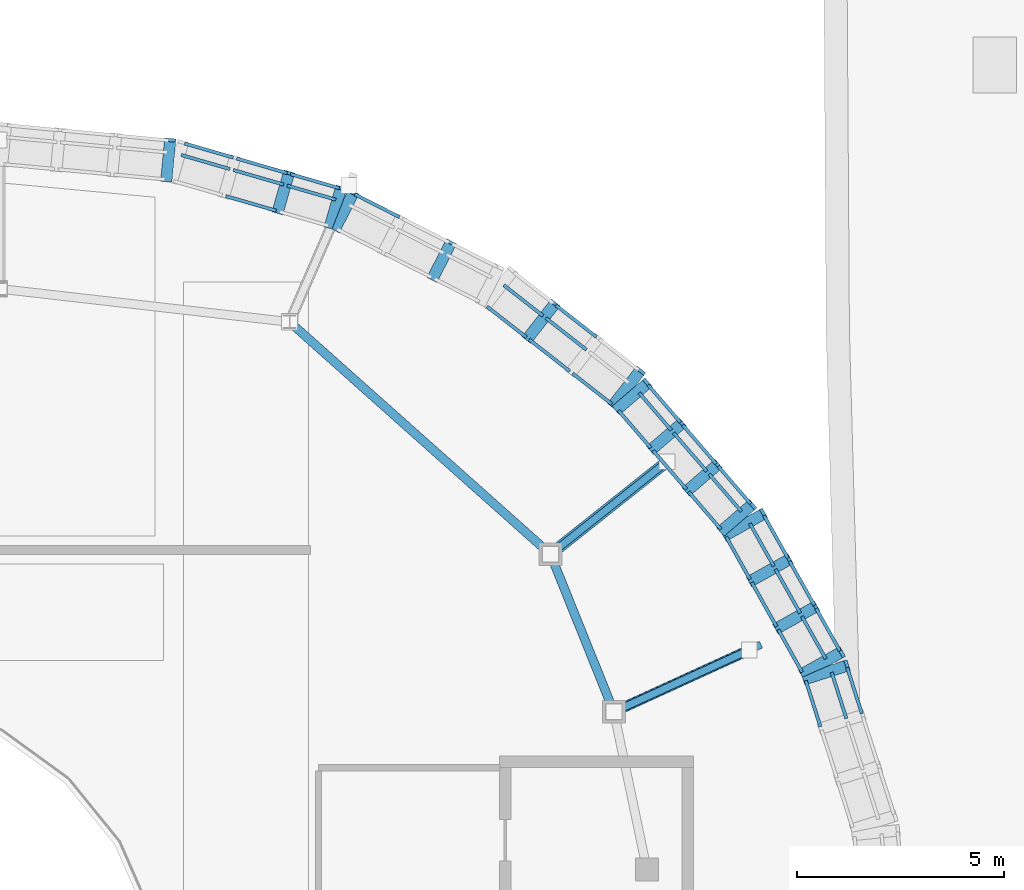
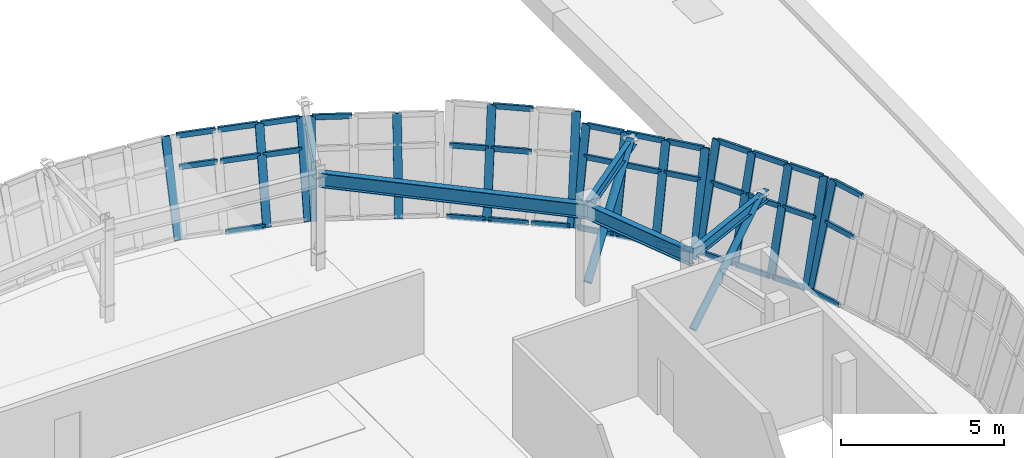
# One storey, part 26 of 111: 53 members, 4 beams, 7 elements without a shape of their own.
"""IFC4 building model written with IfcOpenShell, lengths in metres."""

from ifc_helpers import new_model, si_unit, direction, frame, origin, origin_2d, place, context, subcontext, project, spatial, rectangle, hollow_circle, i_section, extrude, material, material_profile, profile_set, type_object, element, aggregate, save


model = new_model("IFC4")

# Units and contexts
model_context = context("Model", 3, precision=1e-05, world=origin(), true_north=direction((0.0, 1.0)))
body_context = subcontext(model_context, "Body", "Model", "MODEL_VIEW")
ifc_project = project(units=[si_unit("LENGTHUNIT", "METRE"), si_unit("AREAUNIT", "SQUARE_METRE"), si_unit("VOLUMEUNIT", "CUBIC_METRE"), si_unit("PLANEANGLEUNIT", "RADIAN"), si_unit("MASSUNIT", "GRAM", prefix="KILO")], contexts=[model_context])

# Site, building, storey
site_placement = place(None, origin())
site = spatial("IfcSite", under=ifc_project, at=site_placement, CompositionType="ELEMENT")
building_placement = place(site_placement, origin())
building = spatial("IfcBuilding", under=site, at=building_placement, Name="Corveleigh Park Community Centre", CompositionType="ELEMENT")
storey_placement = place(building_placement, frame((0.0, 0.0, 4.800048828125)))
storey = spatial("IfcBuildingStorey", under=building, at=storey_placement, Name="L01", CompositionType="ELEMENT", Elevation=4.800048828125)

# Beams
ifc_material_1 = material(Name="Steel S355", Category="steel")
ifc_material_profile_1 = material_profile(ifc_material_1, i_section(OverallWidth=0.1787109375, OverallDepth=0.409423828125, WebThickness=0.0087890625, FlangeThickness=0.014404296875, at=origin_2d()), Name="UKB 406x178x67", Category="steel")
ifc_profile_set_1 = profile_set([ifc_material_profile_1], Name="Steel S355")
beam_type_1 = type_object("IfcBeamType", Name="BM-STL-UKB406x67", PredefinedType="BEAM", material=ifc_profile_set_1)
beam_1_placement = place(storey_placement, frame((45.828125, 34.404296875, 3.482177734375), z_axis=(0.909532782055, 0.415632191206, 0.0), x_axis=(-0.415632191206, 0.909532782055, 0.0)))
element("IfcBeam", 1, at=beam_1_placement, inside=storey, type_object=beam_type_1, Name="V1 Drum Overhang Radial Outrigger 9", PredefinedType="BEAM", context=body_context, shape_type="SweptSolid", body=[
    extrude(i_section(OverallWidth=0.1787109375, OverallDepth=0.409423828125, WebThickness=0.0087890625, FlangeThickness=0.014404296875, at=origin_2d()), origin(), (0.0, 0.0, 1.0), 3.8896484375),
])
beam_2_placement = place(storey_placement, frame((44.2978515625, 38.206298828125, 3.482177734375), z_axis=(0.783025443292, 0.621989674478, 0.0), x_axis=(-0.621989674478, 0.783025443292, 0.0)))
element("IfcBeam", 2, at=beam_2_placement, inside=storey, type_object=beam_type_1, Name="V1 Drum Overhang Radial Outrigger 10", PredefinedType="BEAM", context=body_context, shape_type="SweptSolid", body=[
    extrude(i_section(OverallWidth=0.1787109375, OverallDepth=0.409423828125, WebThickness=0.0087890625, FlangeThickness=0.014404296875, at=origin_2d()), origin(), (0.0, 0.0, 1.0), 3.89013671875),
])
ifc_material_profile_2 = material_profile(ifc_material_1, i_section(OverallWidth=0.210693359375, OverallDepth=0.53955078125, WebThickness=0.01171875, FlangeThickness=0.018798828125, at=origin_2d()), Name="UKB 533x210x109", Category="steel")
ifc_profile_set_2 = profile_set([ifc_material_profile_2], Name="Steel S355")
beam_type_2 = type_object("IfcBeamType", Name="BM-STL-UKB533x109", PredefinedType="BEAM", material=ifc_profile_set_2)
beam_3_placement = place(storey_placement, frame((45.817138671875, 34.404541015625, 3.34228515625), z_axis=(-0.373254520888, 0.927728981242, 0.0), x_axis=(-0.927728981242, -0.373254520888, 0.0)))
element("IfcBeam", 3, at=beam_3_placement, inside=storey, type_object=beam_type_2, Name="V1 Drum Ring Girder", PredefinedType="BEAM", context=body_context, shape_type="SweptSolid", body=[
    extrude(i_section(OverallWidth=0.210693359375, OverallDepth=0.53955078125, WebThickness=0.01171875, FlangeThickness=0.018798828125, at=origin_2d()), origin(), (0.0, 0.0, 1.0), 4.086181640625),
])
beam_4_placement = place(storey_placement, frame((44.286376953125, 38.203369140625, 3.34228515625), z_axis=(-0.746899880609, 0.664936514523, 0.0), x_axis=(-0.664936514523, -0.746899880609, 0.0)))
element("IfcBeam", 4, at=beam_4_placement, inside=storey, type_object=beam_type_2, Name="V1 Drum Ring Girder", PredefinedType="BEAM", context=body_context, shape_type="SweptSolid", body=[
    extrude(i_section(OverallWidth=0.210693359375, OverallDepth=0.53955078125, WebThickness=0.01171875, FlangeThickness=0.018798828125, at=origin_2d()), origin(), (0.0, 0.0, 1.0), 8.41162109375),
])

# Curtain wall, member
ifc_material_2 = material(Name="Anodised aluminium 6063-T6", Category="aluminium")
curtain_wall_type = type_object("IfcCurtainWallType", Name="CW-SYS-V1-DRUM", PredefinedType="NOTDEFINED", material=ifc_material_2)
curtain_wall_1_placement = place(storey_placement, origin())
curtain_wall_1 = element("IfcCurtainWall", 5, at=curtain_wall_1_placement, inside=storey, type_object=curtain_wall_type, Name="Main Hall Flared Drum CW 163", PredefinedType="NOTDEFINED")
ifc_material_profile_3 = material_profile(ifc_material_2, rectangle(XDim=0.0849609375, YDim=0.27490234375, at=origin_2d()), Name="ALU-M85x275", Category="aluminium")
ifc_profile_set_3 = profile_set([ifc_material_profile_3], Name="Anodised aluminium 6063-T6")
member_type_1 = type_object("IfcMemberType", Name="CWM-85x275", PredefinedType="MULLION", material=ifc_profile_set_3)
member_1_placement = place(storey_placement, frame((50.421875, 35.1884765625, 0.0), z_axis=(0.270633081512, 0.086193007282, 0.958816197551), x_axis=(-0.913600188234, -0.290969408609, 0.284027286212)))
member_1 = element("IfcMember", 6, at=member_1_placement, type_object=member_type_1, Name="CW02 mullion 4", PredefinedType="MULLION", context=body_context, shape_type="SweptSolid", body=[
    extrude(rectangle(XDim=0.0849609375, YDim=0.27490234375, at=origin_2d()), origin(), (0.0, 0.0, 1.0), 3.76708984375),
])

# Curtain wall, members
curtain_wall_2_placement = place(storey_placement, origin())
curtain_wall_2 = element("IfcCurtainWall", 7, at=curtain_wall_2_placement, inside=storey, type_object=curtain_wall_type, Name="Main Hall Flared Drum CW 164", PredefinedType="NOTDEFINED")
member_2_placement = place(storey_placement, frame((50.3671875, 35.31396484375, 0.0), z_axis=(0.247691050808, 0.139010283617, 0.958814520331), x_axis=(-0.836134602223, -0.469259215534, 0.284032948092)))
member_2 = element("IfcMember", 8, at=member_2_placement, type_object=member_type_1, Name="CW02 mullion 1", PredefinedType="MULLION", context=body_context, shape_type="SweptSolid", body=[
    extrude(rectangle(XDim=0.0849609375, YDim=0.27490234375, at=origin_2d()), origin(), (0.0, 0.0, 1.0), 3.767333984375),
])
member_3_placement = place(storey_placement, frame((49.75, 36.4140625, 0.0), z_axis=(0.247693281715, 0.138946728414, 0.958823156195), x_axis=(-0.836235497404, -0.469097045116, 0.284003794242)))
member_3 = element("IfcMember", 9, at=member_3_placement, type_object=member_type_1, Name="CW02 mullion 2", PredefinedType="MULLION", context=body_context, shape_type="SweptSolid", body=[
    extrude(rectangle(XDim=0.0849609375, YDim=0.27490234375, at=origin_2d()), origin(), (0.0, 0.0, 1.0), 3.76708984375),
])
member_4_placement = place(storey_placement, frame((49.112060546875, 37.551025390625, 0.0), z_axis=(0.247691050808, 0.139010283617, 0.958814520331), x_axis=(-0.836134602223, -0.469259215534, 0.284032948092)))
member_4 = element("IfcMember", 10, at=member_4_placement, type_object=member_type_1, Name="CW02 mullion 3", PredefinedType="MULLION", context=body_context, shape_type="SweptSolid", body=[
    extrude(rectangle(XDim=0.0849609375, YDim=0.27490234375, at=origin_2d()), origin(), (0.0, 0.0, 1.0), 3.767333984375),
])
member_5_placement = place(storey_placement, frame((48.494873046875, 38.65087890625, 0.0), z_axis=(0.247691050808, 0.139010283617, 0.958814520331), x_axis=(-0.836134602223, -0.469259215534, 0.284032948092)))
member_5 = element("IfcMember", 11, at=member_5_placement, type_object=member_type_1, Name="CW02 mullion 4", PredefinedType="MULLION", context=body_context, shape_type="SweptSolid", body=[
    extrude(rectangle(XDim=0.0849609375, YDim=0.27490234375, at=origin_2d()), origin(), (0.0, 0.0, 1.0), 3.767333984375),
])

curtain_wall_3_placement = place(storey_placement, origin())
curtain_wall_3 = element("IfcCurtainWall", 12, at=curtain_wall_3_placement, inside=storey, type_object=curtain_wall_type, Name="Main Hall Flared Drum CW 165", PredefinedType="NOTDEFINED")
member_6_placement = place(storey_placement, frame((48.416259765625, 38.76318359375, 0.0), z_axis=(0.21503772758, 0.185362521174, 0.958853227278), x_axis=(-0.72626975594, -0.626044529621, 0.283902251732)))
member_6 = element("IfcMember", 13, at=member_6_placement, type_object=member_type_1, Name="CW02 mullion 1", PredefinedType="MULLION", context=body_context, shape_type="SweptSolid", body=[
    extrude(rectangle(XDim=0.0849609375, YDim=0.27490234375, at=origin_2d()), origin(), (0.0, 0.0, 1.0), 3.406005859375),
])
member_7_placement = place(storey_placement, frame((47.584716796875, 39.72802734375, 0.0), z_axis=(0.21503772758, 0.185362521174, 0.958853227278), x_axis=(-0.72626975594, -0.626044529621, 0.283902251732)))
member_7 = element("IfcMember", 14, at=member_7_placement, type_object=member_type_1, Name="CW02 mullion 2", PredefinedType="MULLION", context=body_context, shape_type="SweptSolid", body=[
    extrude(rectangle(XDim=0.0849609375, YDim=0.27490234375, at=origin_2d()), origin(), (0.0, 0.0, 1.0), 3.406005859375),
])
member_8_placement = place(storey_placement, frame((46.725341796875, 40.72509765625, 0.0), z_axis=(0.21503772758, 0.185362521174, 0.958853227278), x_axis=(-0.72626975594, -0.626044529621, 0.283902251732)))
member_8 = element("IfcMember", 15, at=member_8_placement, type_object=member_type_1, Name="CW02 mullion 3", PredefinedType="MULLION", context=body_context, shape_type="SweptSolid", body=[
    extrude(rectangle(XDim=0.0849609375, YDim=0.27490234375, at=origin_2d()), origin(), (0.0, 0.0, 1.0), 3.406005859375),
])
member_9_placement = place(storey_placement, frame((45.893798828125, 41.689697265625, 0.0), z_axis=(0.21503772758, 0.185362521174, 0.958853227278), x_axis=(-0.72626975594, -0.626044529621, 0.283902251732)))
member_9 = element("IfcMember", 16, at=member_9_placement, type_object=member_type_1, Name="CW02 mullion 4", PredefinedType="MULLION", context=body_context, shape_type="SweptSolid", body=[
    extrude(rectangle(XDim=0.0849609375, YDim=0.27490234375, at=origin_2d()), origin(), (0.0, 0.0, 1.0), 3.406005859375),
])

curtain_wall_4_placement = place(storey_placement, origin())
curtain_wall_4 = element("IfcCurtainWall", 17, at=curtain_wall_4_placement, inside=storey, type_object=curtain_wall_type, Name="Main Hall Flared Drum CW 166", PredefinedType="NOTDEFINED")
member_10_placement = place(storey_placement, frame((45.79541015625, 41.7841796875, 0.0), z_axis=(0.174976325898, 0.223775279009, 0.958805459872), x_axis=(-0.590601178312, -0.755313284708, 0.284063531838)))
member_10 = element("IfcMember", 18, at=member_10_placement, type_object=member_type_1, Name="CW02 mullion 1", PredefinedType="MULLION", context=body_context, shape_type="SweptSolid", body=[
    extrude(rectangle(XDim=0.0849609375, YDim=0.27490234375, at=origin_2d()), origin(), (0.0, 0.0, 1.0), 3.767333984375),
])
member_11_placement = place(storey_placement, frame((43.734375, 43.395263671875, 0.0), z_axis=(0.174913502931, 0.223777816087, 0.958816330441), x_axis=(-0.59047209918, -0.755427994987, 0.284026837606)))
member_11 = element("IfcMember", 19, at=member_11_placement, type_object=member_type_1, Name="CW02 mullion 3", PredefinedType="MULLION", context=body_context, shape_type="SweptSolid", body=[
    extrude(rectangle(XDim=0.0849609375, YDim=0.27490234375, at=origin_2d()), origin(), (0.0, 0.0, 1.0), 3.76708984375),
])

curtain_wall_5_placement = place(storey_placement, origin())
curtain_wall_5 = element("IfcCurtainWall", 20, at=curtain_wall_5_placement, inside=storey, type_object=curtain_wall_type, Name="Main Hall Flared Drum CW 167", PredefinedType="NOTDEFINED")
member_12_placement = place(storey_placement, frame((41.44921875, 44.84912109375, 0.0), z_axis=(0.128879526709, 0.252956534902, 0.958855077186), x_axis=(-0.435288932885, -0.854357421664, 0.283896003766)))
member_12 = element("IfcMember", 21, at=member_12_placement, type_object=member_type_1, Name="CW02 mullion 2", PredefinedType="MULLION", context=body_context, shape_type="SweptSolid", body=[
    extrude(rectangle(XDim=0.0849609375, YDim=0.27490234375, at=origin_2d()), origin(), (0.0, 0.0, 1.0), 3.406005859375),
])
member_13_placement = place(storey_placement, frame((39.095947265625, 46.047607421875, 0.0), z_axis=(0.128806701095, 0.25302596264, 0.958846544544), x_axis=(-0.434994939137, -0.854497571037, 0.283924821065)))
member_13 = element("IfcMember", 22, at=member_13_placement, type_object=member_type_1, Name="CW02 mullion 4", PredefinedType="MULLION", context=body_context, shape_type="SweptSolid", body=[
    extrude(rectangle(XDim=0.0849609375, YDim=0.27490234375, at=origin_2d()), origin(), (0.0, 0.0, 1.0), 3.406005859375),
])

curtain_wall_6_placement = place(storey_placement, origin())
curtain_wall_6 = element("IfcCurtainWall", 23, at=curtain_wall_6_placement, inside=storey, type_object=curtain_wall_type, Name="Main Hall Flared Drum CW 168", PredefinedType="NOTDEFINED")
member_14_placement = place(storey_placement, frame((38.97119140625, 46.0966796875, 0.0), z_axis=(0.078774265043, 0.272806963379, 0.958838347115), x_axis=(-0.266001479913, -0.921202577386, 0.283952503249)))
member_14 = element("IfcMember", 24, at=member_14_placement, type_object=member_type_1, Name="CW02 mullion 1", PredefinedType="MULLION", context=body_context, shape_type="SweptSolid", body=[
    extrude(rectangle(XDim=0.0849609375, YDim=0.27490234375, at=origin_2d()), origin(), (0.0, 0.0, 1.0), 3.406005859375),
])
member_15_placement = place(storey_placement, frame((37.715087890625, 46.459716796875, 0.0), z_axis=(0.078775805261, 0.27274061785, 0.958857094608), x_axis=(-0.266071208259, -0.92120195398, 0.283889189861)))
member_15 = element("IfcMember", 25, at=member_15_placement, type_object=member_type_1, Name="CW02 mullion 2", PredefinedType="MULLION", context=body_context, shape_type="SweptSolid", body=[
    extrude(rectangle(XDim=0.0849609375, YDim=0.27490234375, at=origin_2d()), origin(), (0.0, 0.0, 1.0), 3.406005859375),
])

# Curtain wall, member
curtain_wall_7_placement = place(storey_placement, origin())
curtain_wall_7 = element("IfcCurtainWall", 26, at=curtain_wall_7_placement, inside=storey, type_object=curtain_wall_type, Name="Main Hall Flared Drum CW 169", PredefinedType="NOTDEFINED")
member_16_placement = place(storey_placement, frame((35.02978515625, 47.221923828125, 0.0), z_axis=(0.026521003607, 0.282699562777, 0.95884179799), x_axis=(-0.089558958365, -0.954650085921, 0.283940850226)))
member_16 = element("IfcMember", 27, at=member_16_placement, type_object=member_type_1, Name="CW02 mullion 1", PredefinedType="MULLION", context=body_context, shape_type="SweptSolid", body=[
    extrude(rectangle(XDim=0.0849609375, YDim=0.27490234375, at=origin_2d()), origin(), (0.0, 0.0, 1.0), 3.406005859375),
])
aggregate(curtain_wall_7, [member_16])

# Member
ifc_material_profile_4 = material_profile(ifc_material_2, rectangle(XDim=0.080078125, YDim=0.195068359375, at=origin_2d()), Name="ALU-T80x195", Category="aluminium")
ifc_profile_set_4 = profile_set([ifc_material_profile_4], Name="Anodised aluminium 6063-T6")
member_type_2 = type_object("IfcMemberType", Name="CWT-80x195", PredefinedType="USERDEFINED", material=ifc_profile_set_4)
member_17_placement = place(storey_placement, frame((50.80029296875, 34.039306640625, 0.0400390625), z_axis=(-0.303462619097, 0.952843344318, 0.0), x_axis=(-0.952843344318, -0.303462619097, 0.0)))
member_17 = element("IfcMember", 28, at=member_17_placement, type_object=member_type_2, Name="CW02 transom 3.1", ObjectType="TRANSOM", PredefinedType="USERDEFINED", context=body_context, shape_type="SweptSolid", body=[
    extrude(rectangle(XDim=0.080078125, YDim=0.195068359375, at=origin_2d()), origin(), (0.0, 0.0, 1.0), 1.167236328125),
])

member_18_placement = place(storey_placement, frame((51.424072265625, 34.238037109375, 2.25), z_axis=(-0.303462619097, 0.952843344318, 0.0), x_axis=(-0.952843344318, -0.303462619097, 0.0)))
member_18 = element("IfcMember", 29, at=member_18_placement, type_object=member_type_2, Name="CW02 transom 3.2", ObjectType="TRANSOM", PredefinedType="USERDEFINED", context=body_context, shape_type="SweptSolid", body=[
    extrude(rectangle(XDim=0.080078125, YDim=0.195068359375, at=origin_2d()), origin(), (0.0, 0.0, 1.0), 1.167236328125),
])

member_19_placement = place(storey_placement, frame((51.79736328125, 34.35693359375, 3.572021484375), z_axis=(-0.303462619097, 0.952843344318, 0.0), x_axis=(-0.952843344318, -0.303462619097, 0.0)))
member_19 = element("IfcMember", 30, at=member_19_placement, type_object=member_type_2, Name="CW02 transom 3.3", ObjectType="TRANSOM", PredefinedType="USERDEFINED", context=body_context, shape_type="SweptSolid", body=[
    extrude(rectangle(XDim=0.080078125, YDim=0.195068359375, at=origin_2d()), origin(), (0.0, 0.0, 1.0), 1.167236328125),
])

aggregate(curtain_wall_1, [member_1, member_17, member_18, member_19])

member_20_placement = place(storey_placement, frame((50.356689453125, 35.35693359375, 0.0400390625), z_axis=(-0.489216318136, 0.872162481462, 0.0), x_axis=(-0.872162481462, -0.489216318136, 0.0)))
member_20 = element("IfcMember", 31, at=member_20_placement, type_object=member_type_2, Name="CW02 transom 1.1", ObjectType="TRANSOM", PredefinedType="USERDEFINED", context=body_context, shape_type="SweptSolid", body=[
    extrude(rectangle(XDim=0.080078125, YDim=0.195068359375, at=origin_2d()), origin(), (0.0, 0.0, 1.0), 1.17626953125),
])

member_21_placement = place(storey_placement, frame((50.927734375, 35.67724609375, 2.25), z_axis=(-0.489374177373, 0.872073915743, 0.0), x_axis=(-0.872073915743, -0.489374177373, 0.0)))
member_21 = element("IfcMember", 32, at=member_21_placement, type_object=member_type_2, Name="CW02 transom 1.2", ObjectType="TRANSOM", PredefinedType="USERDEFINED", context=body_context, shape_type="SweptSolid", body=[
    extrude(rectangle(XDim=0.080078125, YDim=0.195068359375, at=origin_2d()), origin(), (0.0, 0.0, 1.0), 1.17626953125),
])

member_22_placement = place(storey_placement, frame((51.269287109375, 35.868896484375, 3.572021484375), z_axis=(-0.489374177373, 0.872073915743, 0.0), x_axis=(-0.872073915743, -0.489374177373, 0.0)))
member_22 = element("IfcMember", 33, at=member_22_placement, type_object=member_type_2, Name="CW02 transom 1.3", ObjectType="TRANSOM", PredefinedType="USERDEFINED", context=body_context, shape_type="SweptSolid", body=[
    extrude(rectangle(XDim=0.080078125, YDim=0.195068359375, at=origin_2d()), origin(), (0.0, 0.0, 1.0), 1.17626953125),
])

member_23_placement = place(storey_placement, frame((49.739501953125, 36.456787109375, 0.0400390625), z_axis=(-0.489329007134, 0.872099261998, 0.0), x_axis=(-0.872099261998, -0.489329007134, 0.0)))
member_23 = element("IfcMember", 34, at=member_23_placement, type_object=member_type_2, Name="CW02 transom 2.1", ObjectType="TRANSOM", PredefinedType="USERDEFINED", context=body_context, shape_type="SweptSolid", body=[
    extrude(rectangle(XDim=0.080078125, YDim=0.195068359375, at=origin_2d()), origin(), (0.0, 0.0, 1.0), 1.218994140625),
])

member_24_placement = place(storey_placement, frame((50.310546875, 36.77734375, 2.25), z_axis=(-0.489414495752, 0.872051289402, 0.0), x_axis=(-0.872051289402, -0.489414495752, 0.0)))
member_24 = element("IfcMember", 35, at=member_24_placement, type_object=member_type_2, Name="CW02 transom 2.2", ObjectType="TRANSOM", PredefinedType="USERDEFINED", context=body_context, shape_type="SweptSolid", body=[
    extrude(rectangle(XDim=0.080078125, YDim=0.195068359375, at=origin_2d()), origin(), (0.0, 0.0, 1.0), 1.21875),
])

member_25_placement = place(storey_placement, frame((50.652099609375, 36.96875, 3.572021484375), z_axis=(-0.489329007134, 0.872099261998, 0.0), x_axis=(-0.872099261998, -0.489329007134, 0.0)))
member_25 = element("IfcMember", 36, at=member_25_placement, type_object=member_type_2, Name="CW02 transom 2.3", ObjectType="TRANSOM", PredefinedType="USERDEFINED", context=body_context, shape_type="SweptSolid", body=[
    extrude(rectangle(XDim=0.080078125, YDim=0.195068359375, at=origin_2d()), origin(), (0.0, 0.0, 1.0), 1.218994140625),
])

member_26_placement = place(storey_placement, frame((49.1015625, 37.59375, 0.0400390625), z_axis=(-0.489374177373, 0.872073915743, 0.0), x_axis=(-0.872073915743, -0.489374177373, 0.0)))
member_26 = element("IfcMember", 37, at=member_26_placement, type_object=member_type_2, Name="CW02 transom 3.1", ObjectType="TRANSOM", PredefinedType="USERDEFINED", context=body_context, shape_type="SweptSolid", body=[
    extrude(rectangle(XDim=0.080078125, YDim=0.195068359375, at=origin_2d()), origin(), (0.0, 0.0, 1.0), 1.17626953125),
])

member_27_placement = place(storey_placement, frame((49.67236328125, 37.914306640625, 2.25), z_axis=(-0.489304892071, 0.872112792359, 0.0), x_axis=(-0.872112792359, -0.489304892071, 0.0)))
member_27 = element("IfcMember", 38, at=member_27_placement, type_object=member_type_2, Name="CW02 transom 3.2", ObjectType="TRANSOM", PredefinedType="USERDEFINED", context=body_context, shape_type="SweptSolid", body=[
    extrude(rectangle(XDim=0.080078125, YDim=0.195068359375, at=origin_2d()), origin(), (0.0, 0.0, 1.0), 1.176025390625),
])

member_28_placement = place(storey_placement, frame((50.013916015625, 38.10595703125, 3.572021484375), z_axis=(-0.489304892071, 0.872112792359, 0.0), x_axis=(-0.872112792359, -0.489304892071, 0.0)))
member_28 = element("IfcMember", 39, at=member_28_placement, type_object=member_type_2, Name="CW02 transom 3.3", ObjectType="TRANSOM", PredefinedType="USERDEFINED", context=body_context, shape_type="SweptSolid", body=[
    extrude(rectangle(XDim=0.080078125, YDim=0.195068359375, at=origin_2d()), origin(), (0.0, 0.0, 1.0), 1.176025390625),
])

aggregate(curtain_wall_2, [member_2, member_3, member_4, member_5, member_20, member_21, member_22, member_23, member_24, member_25, member_26, member_27, member_28])

member_29_placement = place(storey_placement, frame((48.3974609375, 38.80322265625, 0.0400390625), z_axis=(-0.652903056382, 0.757441482207, 0.0), x_axis=(-0.757441482207, -0.652903056382, 0.0)))
member_29 = element("IfcMember", 40, at=member_29_placement, type_object=member_type_2, Name="CW02 transom 1.1", ObjectType="TRANSOM", PredefinedType="USERDEFINED", context=body_context, shape_type="SweptSolid", body=[
    extrude(rectangle(XDim=0.080078125, YDim=0.195068359375, at=origin_2d()), origin(), (0.0, 0.0, 1.0), 1.188720703125),
])

member_30_placement = place(storey_placement, frame((48.89306640625, 39.230224609375, 2.25), z_axis=(-0.652801498532, 0.757529011665, 0.0), x_axis=(-0.757529011665, -0.652801498532, 0.0)))
member_30 = element("IfcMember", 41, at=member_30_placement, type_object=member_type_2, Name="CW02 transom 1.2", ObjectType="TRANSOM", PredefinedType="USERDEFINED", context=body_context, shape_type="SweptSolid", body=[
    extrude(rectangle(XDim=0.080078125, YDim=0.195068359375, at=origin_2d()), origin(), (0.0, 0.0, 1.0), 1.18896484375),
])

member_31_placement = place(storey_placement, frame((49.112060546875, 39.4189453125, 3.225830078125), z_axis=(-0.652903056382, 0.757441482207, 0.0), x_axis=(-0.757441482207, -0.652903056382, 0.0)))
member_31 = element("IfcMember", 42, at=member_31_placement, type_object=member_type_2, Name="CW02 transom 1.3", ObjectType="TRANSOM", PredefinedType="USERDEFINED", context=body_context, shape_type="SweptSolid", body=[
    extrude(rectangle(XDim=0.080078125, YDim=0.195068359375, at=origin_2d()), origin(), (0.0, 0.0, 1.0), 1.188720703125),
])

member_32_placement = place(storey_placement, frame((47.56591796875, 39.767822265625, 0.0400390625), z_axis=(-0.65292785518, 0.757420105311, 0.0), x_axis=(-0.757420105311, -0.65292785518, 0.0)))
member_32 = element("IfcMember", 43, at=member_32_placement, type_object=member_type_2, Name="CW02 transom 2.1", ObjectType="TRANSOM", PredefinedType="USERDEFINED", context=body_context, shape_type="SweptSolid", body=[
    extrude(rectangle(XDim=0.080078125, YDim=0.195068359375, at=origin_2d()), origin(), (0.0, 0.0, 1.0), 1.231201171875),
])

member_33_placement = place(storey_placement, frame((48.0615234375, 40.195068359375, 2.25), z_axis=(-0.65281408421, 0.75751816576, 0.0), x_axis=(-0.75751816576, -0.65281408421, 0.0)))
member_33 = element("IfcMember", 44, at=member_33_placement, type_object=member_type_2, Name="CW02 transom 2.2", ObjectType="TRANSOM", PredefinedType="USERDEFINED", context=body_context, shape_type="SweptSolid", body=[
    extrude(rectangle(XDim=0.080078125, YDim=0.195068359375, at=origin_2d()), origin(), (0.0, 0.0, 1.0), 1.231201171875),
])

member_34_placement = place(storey_placement, frame((48.280517578125, 40.3837890625, 3.225830078125), z_axis=(-0.65292785518, 0.757420105311, 0.0), x_axis=(-0.757420105311, -0.65292785518, 0.0)))
member_34 = element("IfcMember", 45, at=member_34_placement, type_object=member_type_2, Name="CW02 transom 2.3", ObjectType="TRANSOM", PredefinedType="USERDEFINED", context=body_context, shape_type="SweptSolid", body=[
    extrude(rectangle(XDim=0.080078125, YDim=0.195068359375, at=origin_2d()), origin(), (0.0, 0.0, 1.0), 1.231201171875),
])

member_35_placement = place(storey_placement, frame((46.70654296875, 40.764892578125, 0.0400390625), z_axis=(-0.652903056382, 0.757441482207, 0.0), x_axis=(-0.757441482207, -0.652903056382, 0.0)))
member_35 = element("IfcMember", 46, at=member_35_placement, type_object=member_type_2, Name="CW02 transom 3.1", ObjectType="TRANSOM", PredefinedType="USERDEFINED", context=body_context, shape_type="SweptSolid", body=[
    extrude(rectangle(XDim=0.080078125, YDim=0.195068359375, at=origin_2d()), origin(), (0.0, 0.0, 1.0), 1.188720703125),
])

member_36_placement = place(storey_placement, frame((47.2021484375, 41.192138671875, 2.25), z_axis=(-0.652903056382, 0.757441482207, 0.0), x_axis=(-0.757441482207, -0.652903056382, 0.0)))
member_36 = element("IfcMember", 47, at=member_36_placement, type_object=member_type_2, Name="CW02 transom 3.2", ObjectType="TRANSOM", PredefinedType="USERDEFINED", context=body_context, shape_type="SweptSolid", body=[
    extrude(rectangle(XDim=0.080078125, YDim=0.195068359375, at=origin_2d()), origin(), (0.0, 0.0, 1.0), 1.188720703125),
])

member_37_placement = place(storey_placement, frame((47.421142578125, 41.380859375, 3.225830078125), z_axis=(-0.652903056382, 0.757441482207, 0.0), x_axis=(-0.757441482207, -0.652903056382, 0.0)))
member_37 = element("IfcMember", 48, at=member_37_placement, type_object=member_type_2, Name="CW02 transom 3.3", ObjectType="TRANSOM", PredefinedType="USERDEFINED", context=body_context, shape_type="SweptSolid", body=[
    extrude(rectangle(XDim=0.080078125, YDim=0.195068359375, at=origin_2d()), origin(), (0.0, 0.0, 1.0), 1.188720703125),
])

aggregate(curtain_wall_3, [member_6, member_7, member_8, member_9, member_29, member_30, member_31, member_32, member_33, member_34, member_35, member_36, member_37])

member_38_placement = place(storey_placement, frame((45.769287109375, 41.819580078125, 0.0400390625), z_axis=(-0.787796412937, 0.615935720481, 0.0), x_axis=(-0.615935720481, -0.787796412937, 0.0)))
member_38 = element("IfcMember", 49, at=member_38_placement, type_object=member_type_2, Name="CW02 transom 1.1", ObjectType="TRANSOM", PredefinedType="USERDEFINED", context=body_context, shape_type="SweptSolid", body=[
    extrude(rectangle(XDim=0.080078125, YDim=0.195068359375, at=origin_2d()), origin(), (0.0, 0.0, 1.0), 1.201904296875),
])

member_39_placement = place(storey_placement, frame((44.75537109375, 42.612060546875, 0.0400390625), z_axis=(-0.787807166322, 0.615921966398, 0.0), x_axis=(-0.615921966398, -0.787807166322, 0.0)))
member_39 = element("IfcMember", 50, at=member_39_placement, type_object=member_type_2, Name="CW02 transom 2.1", ObjectType="TRANSOM", PredefinedType="USERDEFINED", context=body_context, shape_type="SweptSolid", body=[
    extrude(rectangle(XDim=0.080078125, YDim=0.195068359375, at=origin_2d()), origin(), (0.0, 0.0, 1.0), 1.244140625),
])

member_40_placement = place(storey_placement, frame((45.15869140625, 43.1279296875, 2.25), z_axis=(-0.787881585535, 0.61582676718, 0.0), x_axis=(-0.61582676718, -0.787881585535, 0.0)))
member_40 = element("IfcMember", 51, at=member_40_placement, type_object=member_type_2, Name="CW02 transom 2.2", ObjectType="TRANSOM", PredefinedType="USERDEFINED", context=body_context, shape_type="SweptSolid", body=[
    extrude(rectangle(XDim=0.080078125, YDim=0.195068359375, at=origin_2d()), origin(), (0.0, 0.0, 1.0), 1.244384765625),
])

member_41_placement = place(storey_placement, frame((45.39990234375, 43.4365234375, 3.572021484375), z_axis=(-0.787881585535, 0.61582676718, 0.0), x_axis=(-0.61582676718, -0.787881585535, 0.0)))
member_41 = element("IfcMember", 52, at=member_41_placement, type_object=member_type_2, Name="CW02 transom 2.3", ObjectType="TRANSOM", PredefinedType="USERDEFINED", context=body_context, shape_type="SweptSolid", body=[
    extrude(rectangle(XDim=0.080078125, YDim=0.195068359375, at=origin_2d()), origin(), (0.0, 0.0, 1.0), 1.244384765625),
])

member_42_placement = place(storey_placement, frame((43.708251953125, 43.430908203125, 0.0400390625), z_axis=(-0.787972015739, 0.61571105432, 0.0), x_axis=(-0.61571105432, -0.787972015739, 0.0)))
member_42 = element("IfcMember", 53, at=member_42_placement, type_object=member_type_2, Name="CW02 transom 3.1", ObjectType="TRANSOM", PredefinedType="USERDEFINED", context=body_context, shape_type="SweptSolid", body=[
    extrude(rectangle(XDim=0.080078125, YDim=0.195068359375, at=origin_2d()), origin(), (0.0, 0.0, 1.0), 1.201904296875),
])

member_43_placement = place(storey_placement, frame((44.111328125, 43.946533203125, 2.25), z_axis=(-0.787796412937, 0.615935720481, 0.0), x_axis=(-0.615935720481, -0.787796412937, 0.0)))
member_43 = element("IfcMember", 54, at=member_43_placement, type_object=member_type_2, Name="CW02 transom 3.2", ObjectType="TRANSOM", PredefinedType="USERDEFINED", context=body_context, shape_type="SweptSolid", body=[
    extrude(rectangle(XDim=0.080078125, YDim=0.195068359375, at=origin_2d()), origin(), (0.0, 0.0, 1.0), 1.201904296875),
])

aggregate(curtain_wall_4, [member_10, member_11, member_38, member_39, member_40, member_41, member_42, member_43])

member_44_placement = place(storey_placement, frame((40.6494140625, 46.328369140625, 3.225830078125), z_axis=(-0.891065572939, 0.453874591405, 0.0), x_axis=(-0.453874591405, -0.891065572939, 0.0)))
member_44 = element("IfcMember", 55, at=member_44_placement, type_object=member_type_2, Name="CW02 transom 3.3", ObjectType="TRANSOM", PredefinedType="USERDEFINED", context=body_context, shape_type="SweptSolid", body=[
    extrude(rectangle(XDim=0.080078125, YDim=0.195068359375, at=origin_2d()), origin(), (0.0, 0.0, 1.0), 1.214599609375),
])

aggregate(curtain_wall_5, [member_12, member_13, member_44])

member_45_placement = place(storey_placement, frame((39.115234375, 46.74853515625, 2.25), z_axis=(-0.960705899943, 0.277568322786, 0.0), x_axis=(-0.277568322786, -0.960705899943, 0.0)))
member_45 = element("IfcMember", 56, at=member_45_placement, type_object=member_type_2, Name="CW02 transom 1.2", ObjectType="TRANSOM", PredefinedType="USERDEFINED", context=body_context, shape_type="SweptSolid", body=[
    extrude(rectangle(XDim=0.080078125, YDim=0.195068359375, at=origin_2d()), origin(), (0.0, 0.0, 1.0), 1.22265625),
])

member_46_placement = place(storey_placement, frame((39.1953125, 47.026123046875, 3.225830078125), z_axis=(-0.960690510607, 0.277621582067, 0.0), x_axis=(-0.277621582067, -0.960690510607, 0.0)))
member_46 = element("IfcMember", 57, at=member_46_placement, type_object=member_type_2, Name="CW02 transom 1.3", ObjectType="TRANSOM", PredefinedType="USERDEFINED", context=body_context, shape_type="SweptSolid", body=[
    extrude(rectangle(XDim=0.080078125, YDim=0.195068359375, at=origin_2d()), origin(), (0.0, 0.0, 1.0), 1.222412109375),
])

member_47_placement = place(storey_placement, frame((37.677490234375, 46.48291015625, 0.0400390625), z_axis=(-0.960718756836, 0.277523819271, 0.0), x_axis=(-0.277523819271, -0.960718756836, 0.0)))
member_47 = element("IfcMember", 58, at=member_47_placement, type_object=member_type_2, Name="CW02 transom 2.1", ObjectType="TRANSOM", PredefinedType="USERDEFINED", context=body_context, shape_type="SweptSolid", body=[
    extrude(rectangle(XDim=0.080078125, YDim=0.195068359375, at=origin_2d()), origin(), (0.0, 0.0, 1.0), 1.26513671875),
])

member_48_placement = place(storey_placement, frame((37.859130859375, 47.111572265625, 2.25), z_axis=(-0.960718756836, 0.277523819271, 0.0), x_axis=(-0.277523819271, -0.960718756836, 0.0)))
member_48 = element("IfcMember", 59, at=member_48_placement, type_object=member_type_2, Name="CW02 transom 2.2", ObjectType="TRANSOM", PredefinedType="USERDEFINED", context=body_context, shape_type="SweptSolid", body=[
    extrude(rectangle(XDim=0.080078125, YDim=0.195068359375, at=origin_2d()), origin(), (0.0, 0.0, 1.0), 1.26513671875),
])

member_49_placement = place(storey_placement, frame((37.939208984375, 47.38916015625, 3.225830078125), z_axis=(-0.960718756836, 0.277523819271, 0.0), x_axis=(-0.277523819271, -0.960718756836, 0.0)))
member_49 = element("IfcMember", 60, at=member_49_placement, type_object=member_type_2, Name="CW02 transom 2.3", ObjectType="TRANSOM", PredefinedType="USERDEFINED", context=body_context, shape_type="SweptSolid", body=[
    extrude(rectangle(XDim=0.080078125, YDim=0.195068359375, at=origin_2d()), origin(), (0.0, 0.0, 1.0), 1.26513671875),
])

member_50_placement = place(storey_placement, frame((36.56201171875, 47.486083984375, 2.25), z_axis=(-0.960705899943, 0.277568322786, 0.0), x_axis=(-0.277568322786, -0.960705899943, 0.0)))
member_50 = element("IfcMember", 61, at=member_50_placement, type_object=member_type_2, Name="CW02 transom 3.2", ObjectType="TRANSOM", PredefinedType="USERDEFINED", context=body_context, shape_type="SweptSolid", body=[
    extrude(rectangle(XDim=0.080078125, YDim=0.195068359375, at=origin_2d()), origin(), (0.0, 0.0, 1.0), 1.22265625),
])

member_51_placement = place(storey_placement, frame((36.642333984375, 47.763671875, 3.225830078125), z_axis=(-0.960705899943, 0.277568322786, 0.0), x_axis=(-0.277568322786, -0.960705899943, 0.0)))
member_51 = element("IfcMember", 62, at=member_51_placement, type_object=member_type_2, Name="CW02 transom 3.3", ObjectType="TRANSOM", PredefinedType="USERDEFINED", context=body_context, shape_type="SweptSolid", body=[
    extrude(rectangle(XDim=0.080078125, YDim=0.195068359375, at=origin_2d()), origin(), (0.0, 0.0, 1.0), 1.22265625),
])

aggregate(curtain_wall_6, [member_14, member_15, member_45, member_46, member_47, member_48, member_49, member_50, member_51])

# Members
ifc_material_profile_5 = material_profile(ifc_material_1, hollow_circle(Radius=0.122314453125, WallThickness=0.012451171875, at=origin_2d()), Name="CHS 244.5x12.5", Category="steel")
ifc_profile_set_5 = profile_set([ifc_material_profile_5], Name="Steel S355")
member_type_3 = type_object("IfcMemberType", Name="MEM-STR-CHS245", PredefinedType="STRUT", material=ifc_profile_set_5)
member_52_placement = place(storey_placement, frame((45.819091796875, 34.39990234375, 0.64990234375), z_axis=(0.69484724744, 0.317555330143, 0.64524872338), x_axis=(-0.415663262475, 0.909518582674, 0.0)))
element("IfcMember", 63, at=member_52_placement, inside=storey, type_object=member_type_3, Name="V1 Conical Overhang Raking Strut 9", PredefinedType="STRUT", context=body_context, shape_type="SweptSolid", body=[
    extrude(hollow_circle(Radius=0.122314453125, WallThickness=0.012451171875, at=origin_2d()), origin(), (0.0, 0.0, 1.0), 4.69580078125),
])
ifc_material_profile_6 = material_profile(ifc_material_1, hollow_circle(Radius=0.136474609375, WallThickness=0.012451171875, at=origin_2d()), Name="CHS 273.0x12.5", Category="steel")
ifc_profile_set_6 = profile_set([ifc_material_profile_6], Name="Steel S355")
member_type_4 = type_object("IfcMemberType", Name="MEM-STR-CHS273E", PredefinedType="STRUT", material=ifc_profile_set_6)
member_53_placement = place(storey_placement, frame((44.2900390625, 38.199951171875, 0.64990234375), z_axis=(0.59830430344, 0.475212679587, 0.645139418766), x_axis=(-0.621953313517, 0.783054324938, 0.0)))
element("IfcMember", 64, at=member_53_placement, inside=storey, type_object=member_type_4, Name="V1 Conical Overhang Raking Strut 10", PredefinedType="STRUT", context=body_context, shape_type="SweptSolid", body=[
    extrude(hollow_circle(Radius=0.136474609375, WallThickness=0.012451171875, at=origin_2d()), origin(), (0.0, 0.0, 1.0), 4.69677734375),
])

save(model, "model.ifc")
